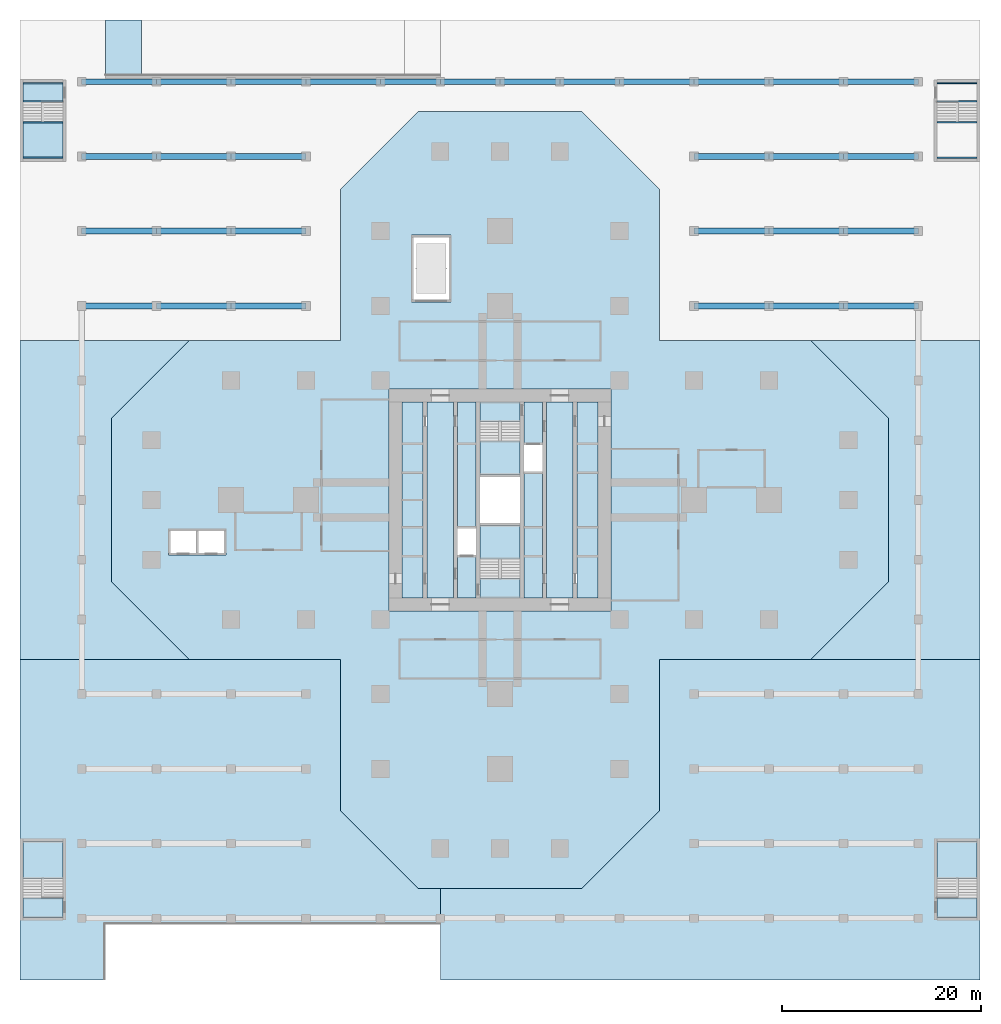
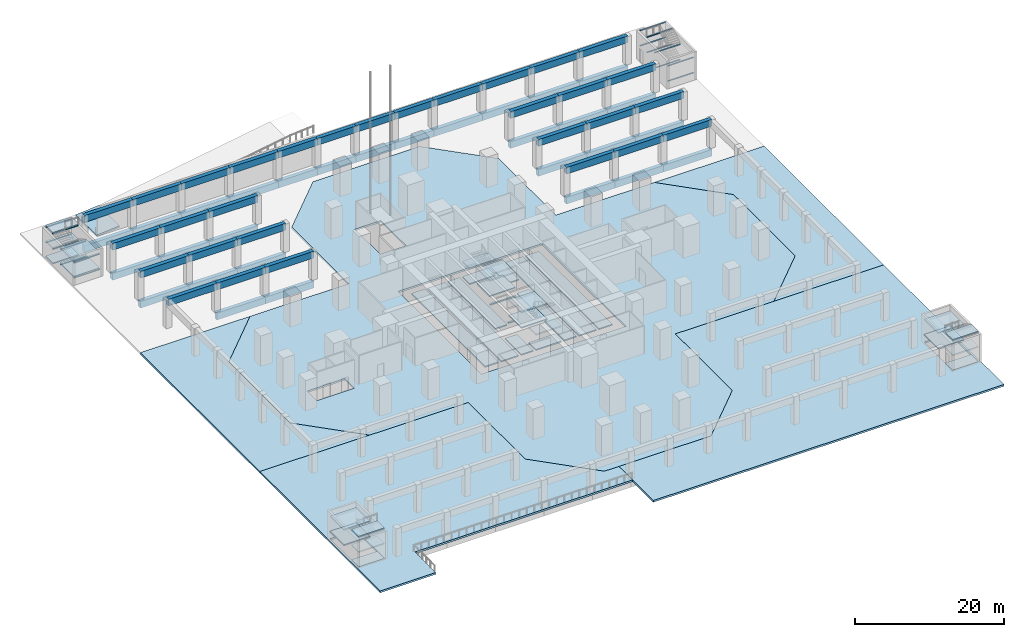
# One storey, part 2 of 20: 75 beams, 30 slabs, 5 elements without a shape of their own.
"""IFC4 building model written with IfcOpenShell, lengths in metres."""

from ifc_helpers import new_model, si_unit, direction, frame, origin, origin_2d, place, context, subcontext, project, spatial, polyline, rectangle, hollow_rectangle, outline, extrude, material, layer, layer_set, material_profile, profile_set, type_object, element, aggregate, save


model = new_model("IFC4")

# Units and contexts
model_context = context("Model", 3, precision=1e-05, world=origin(), true_north=direction((0.0, 1.0)))
body_context = subcontext(model_context, "Body", "Model", "MODEL_VIEW")
ifc_project = project(units=[si_unit("LENGTHUNIT", "METRE"), si_unit("AREAUNIT", "SQUARE_METRE"), si_unit("VOLUMEUNIT", "CUBIC_METRE"), si_unit("PLANEANGLEUNIT", "RADIAN"), si_unit("MASSUNIT", "GRAM", prefix="KILO")], contexts=[model_context])

# Site, building, storey
site_placement = place(None, origin())
site = spatial("IfcSite", under=ifc_project, at=site_placement, CompositionType="ELEMENT")
building_placement = place(site_placement, origin())
building = spatial("IfcBuilding", under=site, at=building_placement, Name="Mizan Broadcast Tower", CompositionType="ELEMENT")
storey_placement = place(building_placement, frame((0.0, 0.0, -5.0)))
storey = spatial("IfcBuildingStorey", under=building, at=storey_placement, Name="B1", CompositionType="ELEMENT", Elevation=-5.0)

# Beams
ifc_material_1 = material(Name="Steel S355", Category="steel")
ifc_material_profile_1 = material_profile(ifc_material_1, hollow_rectangle(XDim=0.14990234375, YDim=0.14990234375, WallThickness=0.008056640625, InnerFilletRadius=0.008056640625, OuterFilletRadius=0.011962890625, at=origin_2d()), Name="SHS 150x150x8")
ifc_profile_set_1 = profile_set([ifc_material_profile_1], Name="Steel S355")
beam_type_1 = type_object("IfcBeamType", Name="LANDING TRIMMER SHS 150x150x8", PredefinedType="BEAM", material=ifc_profile_set_1)
for number, where, z_axis, x_axis, name in (
    (1, (43.89990234375, 37.9150390625, 0.97509765625), (1.0, 0.0, 0.0), (0.0, 1.0, 0.0), "Stair E landing trimmer B1"),
    (2, (43.89990234375, 34.375, 0.97509765625), (1.0, 0.0, 0.0), (0.0, 1.0, 0.0), "Stair E landing trimmer B1"),
    (3, (43.89990234375, 41.824951171875, 2.22509765625), (1.0, 0.0, 0.0), (0.0, 1.0, 0.0), "Stair E landing trimmer B1"),
    (4, (43.89990234375, 40.02490234375, 2.22509765625), (1.0, 0.0, 0.0), (0.0, 1.0, 0.0), "Stair E landing trimmer B1"),
    (5, (43.89990234375, 37.9150390625, 3.47509765625), (1.0, 0.0, 0.0), (0.0, 1.0, 0.0), "Stair E landing trimmer B1"),
    (6, (43.89990234375, 34.375, 3.47509765625), (1.0, 0.0, 0.0), (0.0, 1.0, 0.0), "Stair E landing trimmer B1"),
    (7, (43.89990234375, 41.824951171875, 4.72509765625), (1.0, 0.0, 0.0), (0.0, 1.0, 0.0), "Stair E landing trimmer B1"),
    (8, (43.89990234375, 40.02490234375, 4.72509765625), (1.0, 0.0, 0.0), (0.0, 1.0, 0.0), "Stair E landing trimmer B1"),
    (9, (-43.89990234375, 37.9150390625, 0.97509765625), (-1.0, 0.0, 0.0), (0.0, -1.0, 0.0), "Stair F landing trimmer B1"),
    (10, (-43.89990234375, 34.375, 0.97509765625), (-1.0, 0.0, 0.0), (0.0, -1.0, 0.0), "Stair F landing trimmer B1"),
    (11, (-43.89990234375, 41.824951171875, 2.22509765625), (-1.0, 0.0, 0.0), (0.0, -1.0, 0.0), "Stair F landing trimmer B1"),
    (12, (-43.89990234375, 40.02490234375, 2.22509765625), (-1.0, 0.0, 0.0), (0.0, -1.0, 0.0), "Stair F landing trimmer B1"),
    (13, (-43.89990234375, 37.9150390625, 3.47509765625), (-1.0, 0.0, 0.0), (0.0, -1.0, 0.0), "Stair F landing trimmer B1"),
    (14, (-43.89990234375, 34.375, 3.47509765625), (-1.0, 0.0, 0.0), (0.0, -1.0, 0.0), "Stair F landing trimmer B1"),
    (15, (-43.89990234375, 41.824951171875, 4.72509765625), (-1.0, 0.0, 0.0), (0.0, -1.0, 0.0), "Stair F landing trimmer B1"),
    (16, (-43.89990234375, 40.02490234375, 4.72509765625), (-1.0, 0.0, 0.0), (0.0, -1.0, 0.0), "Stair F landing trimmer B1"),
):
    element("IfcBeam", number, at=place(storey_placement, frame(where, z_axis=z_axis, x_axis=x_axis)), inside=storey, type_object=beam_type_1, Name=name, PredefinedType="BEAM", context=body_context, shape_type="SweptSolid", body=[
        extrude(hollow_rectangle(XDim=0.14990234375, YDim=0.14990234375, WallThickness=0.008056640625, InnerFilletRadius=0.008056640625, OuterFilletRadius=0.011962890625, at=origin_2d()), origin(), (0.0, 0.0, 1.0), 4.0),
    ])
ifc_material_2 = material(Name="Concrete C70/85", Category="concrete")
ifc_material_profile_2 = material_profile(ifc_material_2, rectangle(XDim=0.60009765625, YDim=1.10009765625, at=origin_2d()), Name="RC 600x1100")
ifc_profile_set_2 = profile_set([ifc_material_profile_2], Name="Concrete C70/85")
beam_type_2 = type_object("IfcBeamType", Name="RC BEAM 600x1100", PredefinedType="BEAM", material=ifc_profile_set_2)
for number, where, z_axis, x_axis, name in (
    (17, (-34.5, 19.5, -0.85009765625), (1.0, 0.0, 0.0), (0.0, 1.0, 0.0), "RC beam under the B1 slab"),
    (18, (-27.0, 19.5, -0.85009765625), (1.0, 0.0, 0.0), (0.0, 1.0, 0.0), "RC beam under the B1 slab"),
    (19, (19.5, 19.5, -0.85009765625), (1.0, 0.0, 0.0), (0.0, 1.0, 0.0), "RC beam under the B1 slab"),
    (20, (27.0, 19.5, -0.85009765625), (1.0, 0.0, 0.0), (0.0, 1.0, 0.0), "RC beam under the B1 slab"),
    (21, (34.5, 19.5, -0.85009765625), (1.0, 0.0, 0.0), (0.0, 1.0, 0.0), "RC beam under the B1 slab"),
    (22, (-42.0, 27.0, -0.85009765625), (1.0, 0.0, 0.0), (0.0, 1.0, 0.0), "RC beam under the B1 slab"),
    (23, (-34.5, 27.0, -0.85009765625), (1.0, 0.0, 0.0), (0.0, 1.0, 0.0), "RC beam under the B1 slab"),
    (24, (-27.0, 27.0, -0.85009765625), (1.0, 0.0, 0.0), (0.0, 1.0, 0.0), "RC beam under the B1 slab"),
    (25, (19.5, 27.0, -0.85009765625), (1.0, 0.0, 0.0), (0.0, 1.0, 0.0), "RC beam under the B1 slab"),
    (26, (27.0, 27.0, -0.85009765625), (1.0, 0.0, 0.0), (0.0, 1.0, 0.0), "RC beam under the B1 slab"),
    (27, (34.5, 27.0, -0.85009765625), (1.0, 0.0, 0.0), (0.0, 1.0, 0.0), "RC beam under the B1 slab"),
    (28, (-42.0, 34.5, -0.85009765625), (1.0, 0.0, 0.0), (0.0, 1.0, 0.0), "RC beam under the B1 slab"),
    (29, (-34.5, 34.5, -0.85009765625), (1.0, 0.0, 0.0), (0.0, 1.0, 0.0), "RC beam under the B1 slab"),
    (30, (-27.0, 34.5, -0.85009765625), (1.0, 0.0, 0.0), (0.0, 1.0, 0.0), "RC beam under the B1 slab"),
    (31, (19.5, 34.5, -0.85009765625), (1.0, 0.0, 0.0), (0.0, 1.0, 0.0), "RC beam under the B1 slab"),
    (32, (27.0, 34.5, -0.85009765625), (1.0, 0.0, 0.0), (0.0, 1.0, 0.0), "RC beam under the B1 slab"),
    (33, (34.5, 34.5, -0.85009765625), (1.0, 0.0, 0.0), (0.0, 1.0, 0.0), "RC beam under the B1 slab"),
    (34, (-42.0, 42.0, -0.85009765625), (1.0, 0.0, 0.0), (0.0, 1.0, 0.0), "RC beam under the B1 slab"),
    (35, (-34.5, 42.0, -0.85009765625), (1.0, 0.0, 0.0), (0.0, 1.0, 0.0), "RC beam under the B1 slab"),
    (36, (-27.0, 42.0, -0.85009765625), (1.0, 0.0, 0.0), (0.0, 1.0, 0.0), "RC beam under the B1 slab"),
    (37, (-19.5, 42.0, -0.85009765625), (1.0, 0.0, 0.0), (0.0, 1.0, 0.0), "RC beam under the B1 slab"),
):
    element("IfcBeam", number, at=place(storey_placement, frame(where, z_axis=z_axis, x_axis=x_axis)), inside=storey, type_object=beam_type_2, Name=name, PredefinedType="BEAM", context=body_context, shape_type="SweptSolid", body=[
        extrude(rectangle(XDim=0.60009765625, YDim=1.10009765625, at=origin_2d()), origin(), (0.0, 0.0, 1.0), 7.5),
    ])
for number, where, z_axis, x_axis, name in (
    (38, (-12.0, 42.0, -0.85009765625), (1.0, 0.0, 0.0), (0.0, 1.0, 0.0), "RC beam under the B1 slab"),
    (39, (-6.0, 42.0, -0.85009765625), (1.0, 0.0, 0.0), (0.0, 1.0, 0.0), "RC beam under the B1 slab"),
    (40, (0.0, 42.0, -0.85009765625), (1.0, 0.0, 0.0), (0.0, 1.0, 0.0), "RC beam under the B1 slab"),
    (41, (6.0, 42.0, -0.85009765625), (1.0, 0.0, 0.0), (0.0, 1.0, 0.0), "RC beam under the B1 slab"),
):
    element("IfcBeam", number, at=place(storey_placement, frame(where, z_axis=z_axis, x_axis=x_axis)), inside=storey, type_object=beam_type_2, Name=name, PredefinedType="BEAM", context=body_context, shape_type="SweptSolid", body=[
        extrude(rectangle(XDim=0.60009765625, YDim=1.10009765625, at=origin_2d()), origin(), (0.0, 0.0, 1.0), 6.0),
    ])
for number, where, z_axis, x_axis, name in (
    (42, (12.0, 42.0, -0.85009765625), (1.0, 0.0, 0.0), (0.0, 1.0, 0.0), "RC beam under the B1 slab"),
    (43, (19.5, 42.0, -0.85009765625), (1.0, 0.0, 0.0), (0.0, 1.0, 0.0), "RC beam under the B1 slab"),
    (44, (27.0, 42.0, -0.85009765625), (1.0, 0.0, 0.0), (0.0, 1.0, 0.0), "RC beam under the B1 slab"),
    (45, (34.5, 42.0, -0.85009765625), (1.0, 0.0, 0.0), (0.0, 1.0, 0.0), "RC beam under the B1 slab"),
    (46, (-42.0, 19.5, 4.050048828125), (1.0, 0.0, 0.0), (0.0, 1.0, 0.0), "RC beam under the plaza deck"),
    (47, (-34.5, 19.5, 4.050048828125), (1.0, 0.0, 0.0), (0.0, 1.0, 0.0), "RC beam under the plaza deck"),
    (48, (-27.0, 19.5, 4.050048828125), (1.0, 0.0, 0.0), (0.0, 1.0, 0.0), "RC beam under the plaza deck"),
    (49, (19.5, 19.5, 4.050048828125), (1.0, 0.0, 0.0), (0.0, 1.0, 0.0), "RC beam under the plaza deck"),
    (50, (27.0, 19.5, 4.050048828125), (1.0, 0.0, 0.0), (0.0, 1.0, 0.0), "RC beam under the plaza deck"),
    (51, (34.5, 19.5, 4.050048828125), (1.0, 0.0, 0.0), (0.0, 1.0, 0.0), "RC beam under the plaza deck"),
    (52, (-42.0, 27.0, 4.050048828125), (1.0, 0.0, 0.0), (0.0, 1.0, 0.0), "RC beam under the plaza deck"),
    (53, (-34.5, 27.0, 4.050048828125), (1.0, 0.0, 0.0), (0.0, 1.0, 0.0), "RC beam under the plaza deck"),
    (54, (-27.0, 27.0, 4.050048828125), (1.0, 0.0, 0.0), (0.0, 1.0, 0.0), "RC beam under the plaza deck"),
    (55, (19.5, 27.0, 4.050048828125), (1.0, 0.0, 0.0), (0.0, 1.0, 0.0), "RC beam under the plaza deck"),
    (56, (27.0, 27.0, 4.050048828125), (1.0, 0.0, 0.0), (0.0, 1.0, 0.0), "RC beam under the plaza deck"),
    (57, (34.5, 27.0, 4.050048828125), (1.0, 0.0, 0.0), (0.0, 1.0, 0.0), "RC beam under the plaza deck"),
    (58, (-42.0, 34.5, 4.050048828125), (1.0, 0.0, 0.0), (0.0, 1.0, 0.0), "RC beam under the plaza deck"),
    (59, (-34.5, 34.5, 4.050048828125), (1.0, 0.0, 0.0), (0.0, 1.0, 0.0), "RC beam under the plaza deck"),
    (60, (-27.0, 34.5, 4.050048828125), (1.0, 0.0, 0.0), (0.0, 1.0, 0.0), "RC beam under the plaza deck"),
    (61, (19.5, 34.5, 4.050048828125), (1.0, 0.0, 0.0), (0.0, 1.0, 0.0), "RC beam under the plaza deck"),
    (62, (27.0, 34.5, 4.050048828125), (1.0, 0.0, 0.0), (0.0, 1.0, 0.0), "RC beam under the plaza deck"),
    (63, (34.5, 34.5, 4.050048828125), (1.0, 0.0, 0.0), (0.0, 1.0, 0.0), "RC beam under the plaza deck"),
    (64, (-42.0, 42.0, 4.050048828125), (1.0, 0.0, 0.0), (0.0, 1.0, 0.0), "RC beam under the plaza deck"),
    (65, (-34.5, 42.0, 4.050048828125), (1.0, 0.0, 0.0), (0.0, 1.0, 0.0), "RC beam under the plaza deck"),
    (66, (-27.0, 42.0, 4.050048828125), (1.0, 0.0, 0.0), (0.0, 1.0, 0.0), "RC beam under the plaza deck"),
    (67, (-19.5, 42.0, 4.050048828125), (1.0, 0.0, 0.0), (0.0, 1.0, 0.0), "RC beam under the plaza deck"),
):
    element("IfcBeam", number, at=place(storey_placement, frame(where, z_axis=z_axis, x_axis=x_axis)), inside=storey, type_object=beam_type_2, Name=name, PredefinedType="BEAM", context=body_context, shape_type="SweptSolid", body=[
        extrude(rectangle(XDim=0.60009765625, YDim=1.10009765625, at=origin_2d()), origin(), (0.0, 0.0, 1.0), 7.5),
    ])
for number, where, z_axis, x_axis, name in (
    (68, (-12.0, 42.0, 4.050048828125), (1.0, 0.0, 0.0), (0.0, 1.0, 0.0), "RC beam under the plaza deck"),
    (69, (-6.0, 42.0, 4.050048828125), (1.0, 0.0, 0.0), (0.0, 1.0, 0.0), "RC beam under the plaza deck"),
    (70, (0.0, 42.0, 4.050048828125), (1.0, 0.0, 0.0), (0.0, 1.0, 0.0), "RC beam under the plaza deck"),
    (71, (6.0, 42.0, 4.050048828125), (1.0, 0.0, 0.0), (0.0, 1.0, 0.0), "RC beam under the plaza deck"),
):
    element("IfcBeam", number, at=place(storey_placement, frame(where, z_axis=z_axis, x_axis=x_axis)), inside=storey, type_object=beam_type_2, Name=name, PredefinedType="BEAM", context=body_context, shape_type="SweptSolid", body=[
        extrude(rectangle(XDim=0.60009765625, YDim=1.10009765625, at=origin_2d()), origin(), (0.0, 0.0, 1.0), 6.0),
    ])
for number, where, z_axis, x_axis, name in (
    (72, (12.0, 42.0, 4.050048828125), (1.0, 0.0, 0.0), (0.0, 1.0, 0.0), "RC beam under the plaza deck"),
    (73, (19.5, 42.0, 4.050048828125), (1.0, 0.0, 0.0), (0.0, 1.0, 0.0), "RC beam under the plaza deck"),
    (74, (27.0, 42.0, 4.050048828125), (1.0, 0.0, 0.0), (0.0, 1.0, 0.0), "RC beam under the plaza deck"),
    (75, (34.5, 42.0, 4.050048828125), (1.0, 0.0, 0.0), (0.0, 1.0, 0.0), "RC beam under the plaza deck"),
):
    element("IfcBeam", number, at=place(storey_placement, frame(where, z_axis=z_axis, x_axis=x_axis)), inside=storey, type_object=beam_type_2, Name=name, PredefinedType="BEAM", context=body_context, shape_type="SweptSolid", body=[
        extrude(rectangle(XDim=0.60009765625, YDim=1.10009765625, at=origin_2d()), origin(), (0.0, 0.0, 1.0), 7.5),
    ])

# Slabs
ifc_material_3 = material(Name="Concrete C40/50", Category="concrete")
ifc_layer_1 = layer(ifc_material_3, 0.199951171875)
ifc_layer_set_1 = layer_set([ifc_layer_1], Name="Concrete C40/50")
slab_type_1 = type_object("IfcSlabType", Name="CORE FLOOR 200", PredefinedType="FLOOR", material=ifc_layer_set_1)
slab_1_placement = place(storey_placement, frame((0.0, 0.0, -0.199951171875)))
element("IfcSlab", 76, at=slab_1_placement, inside=storey, type_object=slab_type_1, Name="Core floor B1", PredefinedType="FLOOR", context=body_context, shape_type="SweptSolid", body=[
    extrude(outline(polyline([(-9.85009765625, -9.85009765625), (-7.75, -9.85009765625), (-7.75, 9.85009765625), (-9.85009765625, 9.85009765625), (-9.85009765625, -9.85009765625)])), origin(), (0.0, 0.0, 1.0), 0.199951171875),
    extrude(outline(polyline([(-4.64990234375, 9.85009765625), (-7.35009765625, 9.85009765625), (-7.35009765625, -9.85009765625), (-4.64990234375, -9.85009765625), (-4.64990234375, 9.85009765625)])), origin(), (0.0, 0.0, 1.0), 0.199951171875),
    extrude(outline(polyline([(-4.25, -9.85009765625), (-2.39990234375, -9.85009765625), (-2.39990234375, -5.5), (-4.25, -5.5), (-4.25, -9.85009765625)])), origin(), (0.0, 0.0, 1.0), 0.199951171875),
    extrude(outline(polyline([(-4.25, -2.85009765625), (-2.39990234375, -2.85009765625), (-2.39990234375, 9.85009765625), (-4.25, 9.85009765625), (-4.25, -2.85009765625)])), origin(), (0.0, 0.0, 1.0), 0.199951171875),
    extrude(outline(polyline([(2.0, -2.324951171875), (-2.0, -2.324951171875), (-2.0, -2.574951171875), (2.0, -2.574951171875), (2.0, -2.324951171875)])), origin(), (0.0, 0.0, 1.0), 0.199951171875),
    extrude(outline(polyline([(2.0, 2.574951171875), (-2.0, 2.574951171875), (-2.0, 2.324951171875), (2.0, 2.324951171875), (2.0, 2.574951171875)])), origin(), (0.0, 0.0, 1.0), 0.199951171875),
    extrude(outline(polyline([(4.25, -9.85009765625), (4.25, 2.85009765625), (2.39990234375, 2.85009765625), (2.39990234375, -9.85009765625), (4.25, -9.85009765625)])), origin(), (0.0, 0.0, 1.0), 0.199951171875),
    extrude(outline(polyline([(4.25, 5.5), (4.25, 9.85009765625), (2.39990234375, 9.85009765625), (2.39990234375, 5.5), (4.25, 5.5)])), origin(), (0.0, 0.0, 1.0), 0.199951171875),
    extrude(outline(polyline([(7.35009765625, 9.85009765625), (4.64990234375, 9.85009765625), (4.64990234375, -9.85009765625), (7.35009765625, -9.85009765625), (7.35009765625, 9.85009765625)])), origin(), (0.0, 0.0, 1.0), 0.199951171875),
    extrude(outline(polyline([(9.85009765625, -9.85009765625), (9.85009765625, 9.85009765625), (7.75, 9.85009765625), (7.75, -9.85009765625), (9.85009765625, -9.85009765625)])), origin(), (0.0, 0.0, 1.0), 0.199951171875),
])
ifc_material_4 = material(Name="Concrete C40/50", Category="concrete")
ifc_layer_2 = layer(ifc_material_4, 0.300048828125)
ifc_layer_set_2 = layer_set([ifc_layer_2], Name="Concrete C40/50")
slab_type_2 = type_object("IfcSlabType", Name="RC FLAT SLAB 300", PredefinedType="FLOOR", material=ifc_layer_set_2)
slab_2_placement = place(storey_placement, frame((0.0, 0.0, -0.300048828125)))
element("IfcSlab", 77, at=slab_2_placement, inside=storey, type_object=slab_type_2, Name="Floor slab B1 tower bay", PredefinedType="FLOOR", context=body_context, shape_type="SweptSolid", body=[
    extrude(outline(polyline([(16.0, -31.24267578125), (16.0, -16.0), (31.24267578125, -16.0), (39.0, -8.24267578125), (39.0, 8.24267578125), (31.24267578125, 16.0), (16.0, 16.0), (16.0, 31.24267578125), (8.24267578125, 39.0), (-8.24267578125, 39.0), (-16.0, 31.24267578125), (-16.0, 16.0), (-31.24267578125, 16.0), (-39.0, 8.24267578125), (-39.0, -8.24267578125), (-31.24267578125, -16.0), (-16.0, -16.0), (-16.0, -31.24267578125), (-8.24267578125, -39.0), (8.24267578125, -39.0), (16.0, -31.24267578125)]), holes=[polyline([(11.14990234375, -11.14990234375), (-11.14990234375, -11.14990234375), (-11.14990234375, 11.14990234375), (11.14990234375, 11.14990234375), (11.14990234375, -11.14990234375)]), polyline([(-8.89990234375, 26.60009765625), (-4.89990234375, 26.60009765625), (-4.89990234375, 19.89990234375), (-8.89990234375, 19.89990234375), (-8.89990234375, 26.60009765625)]), polyline([(-27.5, -5.5), (-33.300048828125, -5.5), (-33.300048828125, -2.89990234375), (-27.5, -2.89990234375), (-27.5, -5.5)])]), origin(), (0.0, 0.0, 1.0), 0.300048828125),
])
slab_3_placement = place(storey_placement, frame((0.0, 0.0, -0.300048828125)))
element("IfcSlab", 78, at=slab_3_placement, inside=storey, type_object=slab_type_2, Name="Floor slab B1 east bay", PredefinedType="FLOOR", context=body_context, shape_type="SweptSolid", body=[
    extrude(outline(polyline([(48.199951171875, -16.0), (48.199951171875, 16.0), (31.24267578125, 16.0), (39.0, 8.24267578125), (39.0, -8.24267578125), (31.24267578125, -16.0), (48.199951171875, -16.0)])), origin(), (0.0, 0.0, 1.0), 0.300048828125),
])
slab_4_placement = place(storey_placement, frame((0.0, 0.0, -0.300048828125)))
element("IfcSlab", 79, at=slab_4_placement, inside=storey, type_object=slab_type_2, Name="Floor slab B1 west bay", PredefinedType="FLOOR", context=body_context, shape_type="SweptSolid", body=[
    extrude(outline(polyline([(-48.199951171875, 16.0), (-48.199951171875, -16.0), (-31.24267578125, -16.0), (-39.0, -8.24267578125), (-39.0, 8.24267578125), (-31.24267578125, 16.0), (-48.199951171875, 16.0)])), origin(), (0.0, 0.0, 1.0), 0.300048828125),
])
slab_5_placement = place(storey_placement, frame((0.0, 0.0, -0.300048828125)))
element("IfcSlab", 80, at=slab_5_placement, inside=storey, type_object=slab_type_2, Name="Floor slab B1 south bay west of the ramp head", PredefinedType="FLOOR", context=body_context, shape_type="SweptSolid", body=[
    extrude(outline(polyline([(-31.24267578125, -16.0), (-48.199951171875, -16.0), (-48.199951171875, -48.199951171875), (-39.60009765625, -48.199951171875), (-39.60009765625, -42.64990234375), (-6.0, -42.64990234375), (-6.0, -39.0), (-8.24267578125, -39.0), (-16.0, -31.24267578125), (-16.0, -16.0), (-31.24267578125, -16.0)]), holes=[polyline([(-43.89990234375, -41.89990234375), (-47.89990234375, -41.89990234375), (-47.89990234375, -34.300048828125), (-43.89990234375, -34.300048828125), (-43.89990234375, -41.89990234375)])]), origin(), (0.0, 0.0, 1.0), 0.300048828125),
])
slab_6_placement = place(storey_placement, frame((0.0, 0.0, -0.300048828125)))
element("IfcSlab", 81, at=slab_6_placement, inside=storey, type_object=slab_type_2, Name="Floor slab B1 south bay east of the ramp head", PredefinedType="FLOOR", context=body_context, shape_type="SweptSolid", body=[
    extrude(outline(polyline([(8.24267578125, -39.0), (-6.0, -39.0), (-6.0, -42.64990234375), (-6.0, -48.199951171875), (48.199951171875, -48.199951171875), (48.199951171875, -16.0), (31.24267578125, -16.0), (16.0, -16.0), (16.0, -31.24267578125), (8.24267578125, -39.0)]), holes=[polyline([(43.89990234375, -41.89990234375), (43.89990234375, -34.300048828125), (47.89990234375, -34.300048828125), (47.89990234375, -41.89990234375), (43.89990234375, -41.89990234375)])]), origin(), (0.0, 0.0, 1.0), 0.300048828125),
])

# Stair, slabs
ifc_material_5 = material(Name="Concrete C40/50", Category="concrete")
stair_type = type_object("IfcStairType", Name="EXIT STAIR", PredefinedType="HALF_TURN_STAIR", material=ifc_material_5)
stair_1_placement = place(storey_placement, origin())
stair_1 = element("IfcStair", 82, at=stair_1_placement, inside=storey, type_object=stair_type, Name="Stair A B1", PredefinedType="HALF_TURN_STAIR")
ifc_material_6 = material(Name="Concrete C40/50", Category="concrete")
ifc_layer_3 = layer(ifc_material_6, 0.199951171875)
ifc_layer_set_3 = layer_set([ifc_layer_3], Name="Concrete C40/50")
slab_type_3 = type_object("IfcSlabType", Name="STAIR LANDING 200", PredefinedType="LANDING", material=ifc_layer_set_3)
slab_7_placement = place(storey_placement, frame((0.0, 0.0, -0.199951171875)))
slab_7 = element("IfcSlab", 83, at=slab_7_placement, type_object=slab_type_3, Name="A landing 1", PredefinedType="LANDING", context=body_context, shape_type="SweptSolid", body=[
    extrude(outline(polyline([(-2.0, -9.85009765625), (-2.0, -7.89990234375), (2.0, -7.89990234375), (2.0, -9.85009765625), (-2.0, -9.85009765625)])), origin(), (0.0, 0.0, 1.0), 0.199951171875),
])
slab_8_placement = place(storey_placement, frame((0.0, 0.0, 1.050048828125)))
slab_8 = element("IfcSlab", 84, at=slab_8_placement, type_object=slab_type_3, Name="A landing 2", PredefinedType="LANDING", context=body_context, shape_type="SweptSolid", body=[
    extrude(outline(polyline([(-2.0, -5.93994140625), (-2.0, -2.574951171875), (2.0, -2.574951171875), (2.0, -5.93994140625), (-2.0, -5.93994140625)])), origin(), (0.0, 0.0, 1.0), 0.199951171875),
])
slab_9_placement = place(storey_placement, frame((0.0, 0.0, 2.300048828125)))
slab_9 = element("IfcSlab", 85, at=slab_9_placement, type_object=slab_type_3, Name="A landing 3", PredefinedType="LANDING", context=body_context, shape_type="SweptSolid", body=[
    extrude(outline(polyline([(-2.0, -9.85009765625), (-2.0, -7.89990234375), (2.0, -7.89990234375), (2.0, -9.85009765625), (-2.0, -9.85009765625)])), origin(), (0.0, 0.0, 1.0), 0.199951171875),
])
slab_10_placement = place(storey_placement, frame((0.0, 0.0, 3.550048828125)))
slab_10 = element("IfcSlab", 86, at=slab_10_placement, type_object=slab_type_3, Name="A landing 4", PredefinedType="LANDING", context=body_context, shape_type="SweptSolid", body=[
    extrude(outline(polyline([(-2.0, -5.93994140625), (-2.0, -2.574951171875), (2.0, -2.574951171875), (2.0, -5.93994140625), (-2.0, -5.93994140625)])), origin(), (0.0, 0.0, 1.0), 0.199951171875),
])
aggregate(stair_1, [slab_7, slab_8, slab_9, slab_10])

stair_2_placement = place(storey_placement, origin())
stair_2 = element("IfcStair", 87, at=stair_2_placement, inside=storey, type_object=stair_type, Name="Stair B B1", PredefinedType="HALF_TURN_STAIR")
slab_11_placement = place(storey_placement, frame((0.0, 0.0, -0.199951171875)))
slab_11 = element("IfcSlab", 88, at=slab_11_placement, type_object=slab_type_3, Name="B landing 1", PredefinedType="LANDING", context=body_context, shape_type="SweptSolid", body=[
    extrude(outline(polyline([(2.0, 9.85009765625), (2.0, 7.89990234375), (-2.0, 7.89990234375), (-2.0, 9.85009765625), (2.0, 9.85009765625)])), origin(), (0.0, 0.0, 1.0), 0.199951171875),
])
slab_12_placement = place(storey_placement, frame((0.0, 0.0, 1.050048828125)))
slab_12 = element("IfcSlab", 89, at=slab_12_placement, type_object=slab_type_3, Name="B landing 2", PredefinedType="LANDING", context=body_context, shape_type="SweptSolid", body=[
    extrude(outline(polyline([(2.0, 5.93994140625), (2.0, 2.574951171875), (-2.0, 2.574951171875), (-2.0, 5.93994140625), (2.0, 5.93994140625)])), origin(), (0.0, 0.0, 1.0), 0.199951171875),
])
slab_13_placement = place(storey_placement, frame((0.0, 0.0, 2.300048828125)))
slab_13 = element("IfcSlab", 90, at=slab_13_placement, type_object=slab_type_3, Name="B landing 3", PredefinedType="LANDING", context=body_context, shape_type="SweptSolid", body=[
    extrude(outline(polyline([(2.0, 9.85009765625), (2.0, 7.89990234375), (-2.0, 7.89990234375), (-2.0, 9.85009765625), (2.0, 9.85009765625)])), origin(), (0.0, 0.0, 1.0), 0.199951171875),
])
slab_14_placement = place(storey_placement, frame((0.0, 0.0, 3.550048828125)))
slab_14 = element("IfcSlab", 91, at=slab_14_placement, type_object=slab_type_3, Name="B landing 4", PredefinedType="LANDING", context=body_context, shape_type="SweptSolid", body=[
    extrude(outline(polyline([(2.0, 5.93994140625), (2.0, 2.574951171875), (-2.0, 2.574951171875), (-2.0, 5.93994140625), (2.0, 5.93994140625)])), origin(), (0.0, 0.0, 1.0), 0.199951171875),
])
aggregate(stair_2, [slab_11, slab_12, slab_13, slab_14])

stair_3_placement = place(storey_placement, origin())
stair_3 = element("IfcStair", 92, at=stair_3_placement, inside=storey, type_object=stair_type, Name="Stair F B1", PredefinedType="HALF_TURN_STAIR")
slab_15_placement = place(storey_placement, frame((0.0, 0.0, -0.199951171875)))
slab_15 = element("IfcSlab", 93, at=slab_15_placement, type_object=slab_type_3, Name="F landing 1", PredefinedType="LANDING", context=body_context, shape_type="SweptSolid", body=[
    extrude(outline(polyline([(-43.89990234375, 41.89990234375), (-43.89990234375, 39.949951171875), (-47.89990234375, 39.949951171875), (-47.89990234375, 41.89990234375), (-43.89990234375, 41.89990234375)])), origin(), (0.0, 0.0, 1.0), 0.199951171875),
])
slab_16_placement = place(storey_placement, frame((0.0, 0.0, 1.050048828125)))
slab_16 = element("IfcSlab", 94, at=slab_16_placement, type_object=slab_type_3, Name="F landing 2", PredefinedType="LANDING", context=body_context, shape_type="SweptSolid", body=[
    extrude(outline(polyline([(-43.89990234375, 37.989990234375), (-43.89990234375, 34.300048828125), (-47.89990234375, 34.300048828125), (-47.89990234375, 37.989990234375), (-43.89990234375, 37.989990234375)])), origin(), (0.0, 0.0, 1.0), 0.199951171875),
])
slab_17_placement = place(storey_placement, frame((0.0, 0.0, 2.300048828125)))
slab_17 = element("IfcSlab", 95, at=slab_17_placement, type_object=slab_type_3, Name="F landing 3", PredefinedType="LANDING", context=body_context, shape_type="SweptSolid", body=[
    extrude(outline(polyline([(-43.89990234375, 41.89990234375), (-43.89990234375, 39.949951171875), (-47.89990234375, 39.949951171875), (-47.89990234375, 41.89990234375), (-43.89990234375, 41.89990234375)])), origin(), (0.0, 0.0, 1.0), 0.199951171875),
])
slab_18_placement = place(storey_placement, frame((0.0, 0.0, 3.550048828125)))
slab_18 = element("IfcSlab", 96, at=slab_18_placement, type_object=slab_type_3, Name="F landing 4", PredefinedType="LANDING", context=body_context, shape_type="SweptSolid", body=[
    extrude(outline(polyline([(-43.89990234375, 37.989990234375), (-43.89990234375, 34.300048828125), (-47.89990234375, 34.300048828125), (-47.89990234375, 37.989990234375), (-43.89990234375, 37.989990234375)])), origin(), (0.0, 0.0, 1.0), 0.199951171875),
])
slab_19_placement = place(storey_placement, frame((0.0, 0.0, 4.800048828125)))
slab_19 = element("IfcSlab", 97, at=slab_19_placement, type_object=slab_type_3, Name="F landing 5", PredefinedType="LANDING", context=body_context, shape_type="SweptSolid", body=[
    extrude(outline(polyline([(-43.89990234375, 41.89990234375), (-43.89990234375, 39.949951171875), (-47.89990234375, 39.949951171875), (-47.89990234375, 41.89990234375), (-43.89990234375, 41.89990234375)])), origin(), (0.0, 0.0, 1.0), 0.199951171875),
])
aggregate(stair_3, [slab_15, slab_16, slab_17, slab_18, slab_19])

stair_4_placement = place(storey_placement, origin())
stair_4 = element("IfcStair", 98, at=stair_4_placement, inside=storey, type_object=stair_type, Name="Stair G B1", PredefinedType="HALF_TURN_STAIR")
slab_20_placement = place(storey_placement, frame((0.0, 0.0, -0.199951171875)))
slab_20 = element("IfcSlab", 99, at=slab_20_placement, type_object=slab_type_3, Name="G landing 1", PredefinedType="LANDING", context=body_context, shape_type="SweptSolid", body=[
    extrude(outline(polyline([(-43.89990234375, -41.89990234375), (-43.89990234375, -39.949951171875), (-47.89990234375, -39.949951171875), (-47.89990234375, -41.89990234375), (-43.89990234375, -41.89990234375)])), origin(), (0.0, 0.0, 1.0), 0.199951171875),
])
slab_21_placement = place(storey_placement, frame((0.0, 0.0, 1.050048828125)))
slab_21 = element("IfcSlab", 100, at=slab_21_placement, type_object=slab_type_3, Name="G landing 2", PredefinedType="LANDING", context=body_context, shape_type="SweptSolid", body=[
    extrude(outline(polyline([(-43.89990234375, -37.989990234375), (-43.89990234375, -34.300048828125), (-47.89990234375, -34.300048828125), (-47.89990234375, -37.989990234375), (-43.89990234375, -37.989990234375)])), origin(), (0.0, 0.0, 1.0), 0.199951171875),
])
slab_22_placement = place(storey_placement, frame((0.0, 0.0, 2.300048828125)))
slab_22 = element("IfcSlab", 101, at=slab_22_placement, type_object=slab_type_3, Name="G landing 3", PredefinedType="LANDING", context=body_context, shape_type="SweptSolid", body=[
    extrude(outline(polyline([(-43.89990234375, -41.89990234375), (-43.89990234375, -39.949951171875), (-47.89990234375, -39.949951171875), (-47.89990234375, -41.89990234375), (-43.89990234375, -41.89990234375)])), origin(), (0.0, 0.0, 1.0), 0.199951171875),
])
slab_23_placement = place(storey_placement, frame((0.0, 0.0, 3.550048828125)))
slab_23 = element("IfcSlab", 102, at=slab_23_placement, type_object=slab_type_3, Name="G landing 4", PredefinedType="LANDING", context=body_context, shape_type="SweptSolid", body=[
    extrude(outline(polyline([(-43.89990234375, -37.989990234375), (-43.89990234375, -34.300048828125), (-47.89990234375, -34.300048828125), (-47.89990234375, -37.989990234375), (-43.89990234375, -37.989990234375)])), origin(), (0.0, 0.0, 1.0), 0.199951171875),
])
slab_24_placement = place(storey_placement, frame((0.0, 0.0, 4.800048828125)))
slab_24 = element("IfcSlab", 103, at=slab_24_placement, type_object=slab_type_3, Name="G landing 5", PredefinedType="LANDING", context=body_context, shape_type="SweptSolid", body=[
    extrude(outline(polyline([(-43.89990234375, -41.89990234375), (-43.89990234375, -39.949951171875), (-47.89990234375, -39.949951171875), (-47.89990234375, -41.89990234375), (-43.89990234375, -41.89990234375)])), origin(), (0.0, 0.0, 1.0), 0.199951171875),
])
aggregate(stair_4, [slab_20, slab_21, slab_22, slab_23, slab_24])

stair_5_placement = place(storey_placement, origin())
stair_5 = element("IfcStair", 104, at=stair_5_placement, inside=storey, type_object=stair_type, Name="Stair H B1", PredefinedType="HALF_TURN_STAIR")
slab_25_placement = place(storey_placement, frame((0.0, 0.0, -0.199951171875)))
slab_25 = element("IfcSlab", 105, at=slab_25_placement, type_object=slab_type_3, Name="H landing 1", PredefinedType="LANDING", context=body_context, shape_type="SweptSolid", body=[
    extrude(outline(polyline([(43.89990234375, -41.89990234375), (43.89990234375, -39.949951171875), (47.89990234375, -39.949951171875), (47.89990234375, -41.89990234375), (43.89990234375, -41.89990234375)])), origin(), (0.0, 0.0, 1.0), 0.199951171875),
])
slab_26_placement = place(storey_placement, frame((0.0, 0.0, 1.050048828125)))
slab_26 = element("IfcSlab", 106, at=slab_26_placement, type_object=slab_type_3, Name="H landing 2", PredefinedType="LANDING", context=body_context, shape_type="SweptSolid", body=[
    extrude(outline(polyline([(43.89990234375, -37.989990234375), (43.89990234375, -34.300048828125), (47.89990234375, -34.300048828125), (47.89990234375, -37.989990234375), (43.89990234375, -37.989990234375)])), origin(), (0.0, 0.0, 1.0), 0.199951171875),
])
slab_27_placement = place(storey_placement, frame((0.0, 0.0, 2.300048828125)))
slab_27 = element("IfcSlab", 107, at=slab_27_placement, type_object=slab_type_3, Name="H landing 3", PredefinedType="LANDING", context=body_context, shape_type="SweptSolid", body=[
    extrude(outline(polyline([(43.89990234375, -41.89990234375), (43.89990234375, -39.949951171875), (47.89990234375, -39.949951171875), (47.89990234375, -41.89990234375), (43.89990234375, -41.89990234375)])), origin(), (0.0, 0.0, 1.0), 0.199951171875),
])
slab_28_placement = place(storey_placement, frame((0.0, 0.0, 3.550048828125)))
slab_28 = element("IfcSlab", 108, at=slab_28_placement, type_object=slab_type_3, Name="H landing 4", PredefinedType="LANDING", context=body_context, shape_type="SweptSolid", body=[
    extrude(outline(polyline([(43.89990234375, -37.989990234375), (43.89990234375, -34.300048828125), (47.89990234375, -34.300048828125), (47.89990234375, -37.989990234375), (43.89990234375, -37.989990234375)])), origin(), (0.0, 0.0, 1.0), 0.199951171875),
])
slab_29_placement = place(storey_placement, frame((0.0, 0.0, 4.800048828125)))
slab_29 = element("IfcSlab", 109, at=slab_29_placement, type_object=slab_type_3, Name="H landing 5", PredefinedType="LANDING", context=body_context, shape_type="SweptSolid", body=[
    extrude(outline(polyline([(43.89990234375, -41.89990234375), (43.89990234375, -39.949951171875), (47.89990234375, -39.949951171875), (47.89990234375, -41.89990234375), (43.89990234375, -41.89990234375)])), origin(), (0.0, 0.0, 1.0), 0.199951171875),
])
aggregate(stair_5, [slab_25, slab_26, slab_27, slab_28, slab_29])

# Slab
ifc_material_7 = material(Name="Concrete C40/50", Category="concrete")
ifc_layer_4 = layer(ifc_material_7, 0.25)
ifc_layer_set_4 = layer_set([ifc_layer_4], Name="Concrete C40/50")
slab_type_4 = type_object("IfcSlabType", Name="VEHICLE RAMP SLAB 250", PredefinedType="USERDEFINED", material=ifc_layer_set_4)
slab_30_placement = place(storey_placement, frame((-36.0, 42.64990234375, 0.300048828125), z_axis=(-0.083056665618, 0.0, 0.996544826035), x_axis=(-0.996544826035, 0.0, -0.083056665618)))
element("IfcSlab", 110, at=slab_30_placement, inside=storey, type_object=slab_type_4, Name="Vehicle ramp R1 slab 3", ObjectType="RAMP", PredefinedType="USERDEFINED", context=body_context, shape_type="SweptSolid", body=[
    extrude(outline(polyline([(0.0, 0.0), (3.6125797477420383, 0.0), (3.6125797477420383, -5.550048828125), (0.0, -5.550048828125), (0.0, 0.0)])), origin(), (0.083056665618, 0.0, -0.996544826035), 0.25),
])

save(model, "model.ifc")
